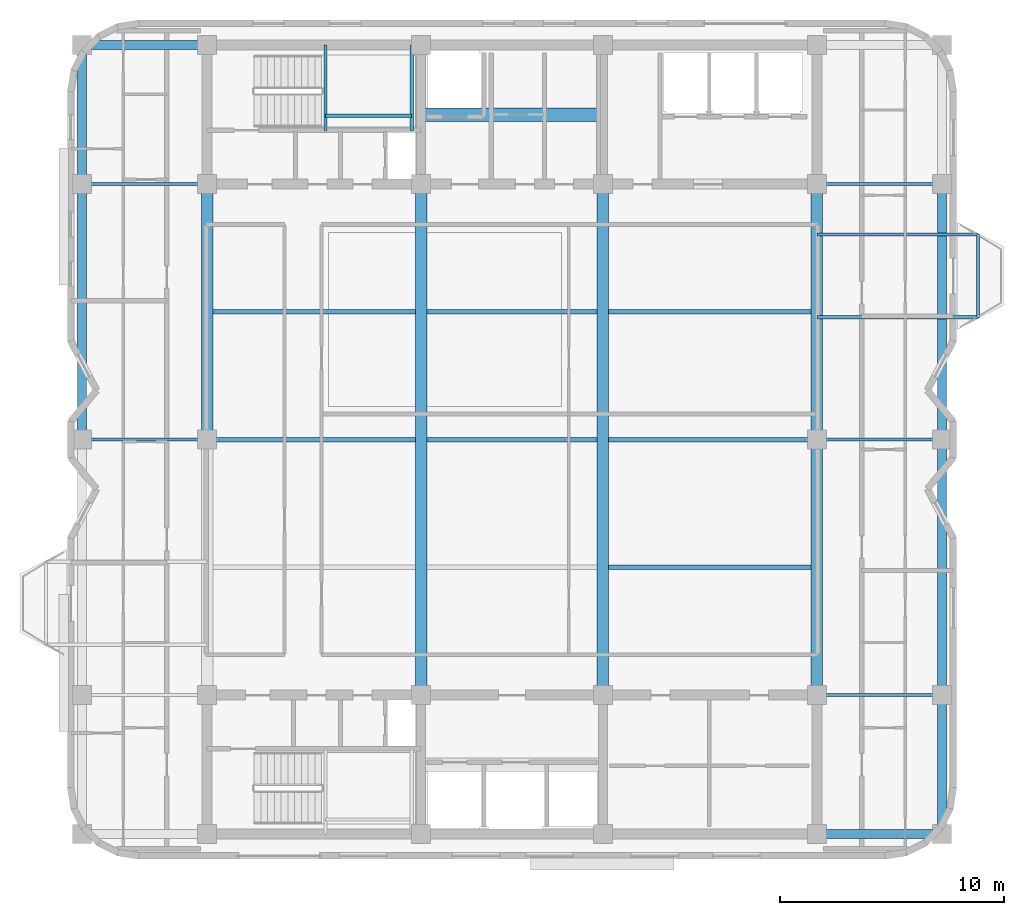
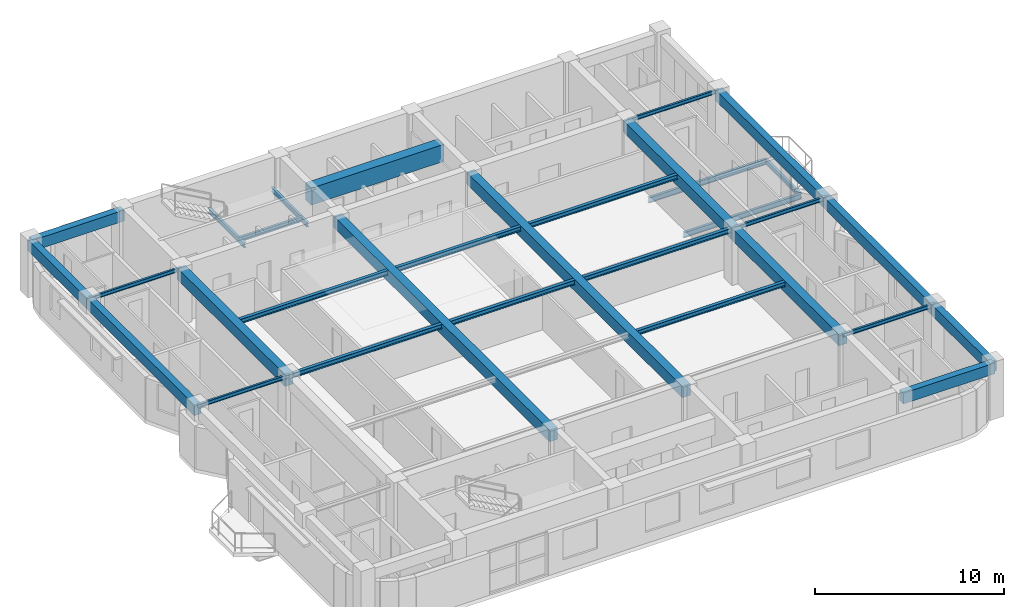
# One storey, part 3 of 12: 31 beams.
"""IFC4 building model written with IfcOpenShell, lengths in metres."""

from ifc_helpers import new_model, si_unit, direction, frame, origin, origin_2d, place, context, subcontext, project, spatial, rectangle, i_section, extrude, material, material_profile, profile_set, type_object, element, save


model = new_model("IFC4")

# Units and contexts
model_context = context("Model", 3, precision=1e-05, world=origin(), true_north=direction((0.0, 1.0)))
body_context = subcontext(model_context, "Body", "Model", "MODEL_VIEW")
ifc_project = project(units=[si_unit("LENGTHUNIT", "METRE"), si_unit("AREAUNIT", "SQUARE_METRE"), si_unit("VOLUMEUNIT", "CUBIC_METRE"), si_unit("PLANEANGLEUNIT", "RADIAN"), si_unit("MASSUNIT", "GRAM", prefix="KILO")], contexts=[model_context])

# Site, building, storey
site_placement = place(None, origin())
site = spatial("IfcSite", under=ifc_project, at=site_placement, CompositionType="ELEMENT")
building_placement = place(site_placement, origin())
building = spatial("IfcBuilding", under=site, at=building_placement, Name="Svetorya Sky Lyceum", CompositionType="ELEMENT")
storey_placement = place(building_placement, frame((0.0, 0.0, 236.89990234375)))
storey = spatial("IfcBuildingStorey", under=building, at=storey_placement, Name="L59", CompositionType="ELEMENT", Elevation=236.89990234375)

# Beams
ifc_material_1 = material(Name="Concrete C60/75", Category="concrete")
ifc_material_profile_1 = material_profile(ifc_material_1, rectangle(XDim=0.60009765625, YDim=1.10009765625, at=origin_2d()), Name="RC COUPLING 600x1100")
ifc_profile_set_1 = profile_set([ifc_material_profile_1], Name="Concrete C60/75")
beam_type_1 = type_object("IfcBeamType", Name="BM-CPL-1100", PredefinedType="LINTEL", material=ifc_profile_set_1)
beam_1_placement = place(storey_placement, frame((35.14990234375, 42.699951171875, 2.900146484375), z_axis=(1.0, 0.0, 0.0), x_axis=(0.0, 1.0, 0.0)))
element("IfcBeam", 1, at=beam_1_placement, inside=storey, type_object=beam_type_1, Name="L59 NC Core Coupling Beam", PredefinedType="LINTEL", context=body_context, shape_type="SweptSolid", body=[
    extrude(rectangle(XDim=0.60009765625, YDim=1.10009765625, at=origin_2d()), origin(), (0.0, 0.0, 1.0), 8.10009765625),
])
ifc_material_2 = material(Name="Concrete C50/60", Category="concrete")
ifc_material_profile_2 = material_profile(ifc_material_2, rectangle(XDim=0.5, YDim=0.75, at=origin_2d()), Name="RC BEAM 500x750")
ifc_profile_set_2 = profile_set([ifc_material_profile_2], Name="Concrete C50/60")
beam_type_2 = type_object("IfcBeamType", Name="BM-RC-750", PredefinedType="BEAM", material=ifc_profile_set_2)
beam_2_placement = place(storey_placement, frame((25.60009765625, 28.199951171875, 3.0751953125), z_axis=(0.0, 1.0, 0.0), x_axis=(-1.0, 0.0, 0.0)))
element("IfcBeam", 2, at=beam_2_placement, inside=storey, type_object=beam_type_2, Name="L59 Central Bay Primary Girder CG-1B", PredefinedType="BEAM", context=body_context, shape_type="SweptSolid", body=[
    extrude(rectangle(XDim=0.5, YDim=0.75, at=origin_2d()), origin(), (0.0, 0.0, 1.0), 11.400146484375),
])
for number, where, z_axis, x_axis, name in (
    (3, (35.14990234375, 16.800048828125, 3.0751953125), (0.0, 1.0, 0.0), (-1.0, 0.0, 0.0), "L59 Central Bay Primary Girder CG-2"),
    (4, (43.25, 16.800048828125, 3.0751953125), (0.0, 1.0, 0.0), (-1.0, 0.0, 0.0), "L59 Central Bay Primary Girder CG-3"),
):
    element("IfcBeam", number, at=place(storey_placement, frame(where, z_axis=z_axis, x_axis=x_axis)), inside=storey, type_object=beam_type_2, Name=name, PredefinedType="BEAM", context=body_context, shape_type="SweptSolid", body=[
        extrude(rectangle(XDim=0.5, YDim=0.75, at=origin_2d()), origin(), (0.0, 0.0, 1.0), 22.800048828125),
    ])
beam_3_placement = place(storey_placement, frame((52.800048828125, 16.800048828125, 3.0751953125), z_axis=(0.0, 1.0, 0.0), x_axis=(-1.0, 0.0, 0.0)))
element("IfcBeam", 5, at=beam_3_placement, inside=storey, type_object=beam_type_2, Name="L59 Central Bay Primary Girder CG-4A", PredefinedType="BEAM", context=body_context, shape_type="SweptSolid", body=[
    extrude(rectangle(XDim=0.5, YDim=0.75, at=origin_2d()), origin(), (0.0, 0.0, 1.0), 11.39990234375),
])
beam_4_placement = place(storey_placement, frame((52.800048828125, 28.199951171875, 3.0751953125), z_axis=(0.0, 1.0, 0.0), x_axis=(-1.0, 0.0, 0.0)))
element("IfcBeam", 6, at=beam_4_placement, inside=storey, type_object=beam_type_2, Name="L59 Central Bay Primary Girder CG-4B", PredefinedType="BEAM", context=body_context, shape_type="SweptSolid", body=[
    extrude(rectangle(XDim=0.5, YDim=0.75, at=origin_2d()), origin(), (0.0, 0.0, 1.0), 11.400146484375),
])
ifc_material_profile_3 = material_profile(ifc_material_2, rectangle(XDim=0.39990234375, YDim=0.699951171875, at=origin_2d()), Name="RC SPANDREL 400x700")
ifc_profile_set_3 = profile_set([ifc_material_profile_3], Name="Concrete C50/60")
beam_type_3 = type_object("IfcBeamType", Name="BM-SPN-700", PredefinedType="SPANDREL", material=ifc_profile_set_3)
beam_5_placement = place(storey_placement, frame((20.010009765625, 45.800048828125, 3.10009765625), z_axis=(1.0, 0.0, 0.0), x_axis=(0.0, 1.0, 0.0)))
element("IfcBeam", 7, at=beam_5_placement, inside=storey, type_object=beam_type_3, Name="L59 Tie Spandrel NW", PredefinedType="SPANDREL", context=body_context, shape_type="SweptSolid", body=[
    extrude(rectangle(XDim=0.39990234375, YDim=0.699951171875, at=origin_2d()), origin(), (0.0, 0.0, 1.0), 5.590087890625),
])
beam_6_placement = place(storey_placement, frame((52.800048828125, 10.60009765625, 3.10009765625), z_axis=(1.0, 0.0, 0.0), x_axis=(0.0, 1.0, 0.0)))
element("IfcBeam", 8, at=beam_6_placement, inside=storey, type_object=beam_type_3, Name="L59 Tie Spandrel SE", PredefinedType="SPANDREL", context=body_context, shape_type="SweptSolid", body=[
    extrude(rectangle(XDim=0.39990234375, YDim=0.699951171875, at=origin_2d()), origin(), (0.0, 0.0, 1.0), 5.58984375),
])
beam_7_placement = place(storey_placement, frame((20.010009765625, 28.199951171875, 3.10009765625), z_axis=(0.0, 1.0, 0.0), x_axis=(-1.0, 0.0, 0.0)))
element("IfcBeam", 9, at=beam_7_placement, inside=storey, type_object=beam_type_3, Name="L59 West Spandrel 3", PredefinedType="SPANDREL", context=body_context, shape_type="SweptSolid", body=[
    extrude(rectangle(XDim=0.39990234375, YDim=0.699951171875, at=origin_2d()), origin(), (0.0, 0.0, 1.0), 11.400146484375),
])
for number, where, z_axis, x_axis, name in (
    (10, (20.010009765625, 39.60009765625, 3.10009765625), (0.0, 1.0, 0.0), (-1.0, 0.0, 0.0), "L59 West Spandrel 4"),
    (11, (58.389892578125, 10.60009765625, 3.10009765625), (0.0, 1.0, 0.0), (-1.0, 0.0, 0.0), "L59 East Spandrel 1"),
):
    element("IfcBeam", number, at=place(storey_placement, frame(where, z_axis=z_axis, x_axis=x_axis)), inside=storey, type_object=beam_type_3, Name=name, PredefinedType="SPANDREL", context=body_context, shape_type="SweptSolid", body=[
        extrude(rectangle(XDim=0.39990234375, YDim=0.699951171875, at=origin_2d()), origin(), (0.0, 0.0, 1.0), 6.199951171875),
    ])
beam_8_placement = place(storey_placement, frame((58.389892578125, 16.800048828125, 3.10009765625), z_axis=(0.0, 1.0, 0.0), x_axis=(-1.0, 0.0, 0.0)))
element("IfcBeam", 12, at=beam_8_placement, inside=storey, type_object=beam_type_3, Name="L59 East Spandrel 2", PredefinedType="SPANDREL", context=body_context, shape_type="SweptSolid", body=[
    extrude(rectangle(XDim=0.39990234375, YDim=0.699951171875, at=origin_2d()), origin(), (0.0, 0.0, 1.0), 11.39990234375),
])
beam_9_placement = place(storey_placement, frame((58.389892578125, 28.199951171875, 3.10009765625), z_axis=(0.0, 1.0, 0.0), x_axis=(-1.0, 0.0, 0.0)))
element("IfcBeam", 13, at=beam_9_placement, inside=storey, type_object=beam_type_3, Name="L59 East Spandrel 3", PredefinedType="SPANDREL", context=body_context, shape_type="SweptSolid", body=[
    extrude(rectangle(XDim=0.39990234375, YDim=0.699951171875, at=origin_2d()), origin(), (0.0, 0.0, 1.0), 11.400146484375),
])
ifc_material_3 = material(Name="Steel S355", Category="steel")
ifc_material_profile_4 = material_profile(ifc_material_3, i_section(OverallWidth=0.1240234375, OverallDepth=0.248046875, WebThickness=0.006103515625, FlangeThickness=0.009521484375, at=origin_2d()), Name="GOST 25B2")
ifc_profile_set_4 = profile_set([ifc_material_profile_4], Name="Steel S355")
beam_type_4 = type_object("IfcBeamType", Name="BM-STL-25B2", PredefinedType="JOIST", material=ifc_profile_set_4)
beam_10_placement = place(storey_placement, frame((52.800048828125, 16.800048828125, 3.326171875), z_axis=(1.0, 0.0, 0.0), x_axis=(0.0, 1.0, 0.0)))
element("IfcBeam", 14, at=beam_10_placement, inside=storey, type_object=beam_type_4, Name="L59 East Wing Floor Joist E2", PredefinedType="JOIST", context=body_context, shape_type="SweptSolid", body=[
    extrude(i_section(OverallWidth=0.1240234375, OverallDepth=0.248046875, WebThickness=0.006103515625, FlangeThickness=0.009521484375, at=origin_2d()), origin(), (0.0, 0.0, 1.0), 5.58984375),
])
beam_11_placement = place(storey_placement, frame((20.010009765625, 28.199951171875, 3.326171875), z_axis=(1.0, 0.0, 0.0), x_axis=(0.0, 1.0, 0.0)))
element("IfcBeam", 15, at=beam_11_placement, inside=storey, type_object=beam_type_4, Name="L59 West Wing Floor Joist W3", PredefinedType="JOIST", context=body_context, shape_type="SweptSolid", body=[
    extrude(i_section(OverallWidth=0.1240234375, OverallDepth=0.248046875, WebThickness=0.006103515625, FlangeThickness=0.009521484375, at=origin_2d()), origin(), (0.0, 0.0, 1.0), 5.590087890625),
])
beam_12_placement = place(storey_placement, frame((52.800048828125, 28.199951171875, 3.326171875), z_axis=(1.0, 0.0, 0.0), x_axis=(0.0, 1.0, 0.0)))
element("IfcBeam", 16, at=beam_12_placement, inside=storey, type_object=beam_type_4, Name="L59 East Wing Floor Joist E3", PredefinedType="JOIST", context=body_context, shape_type="SweptSolid", body=[
    extrude(i_section(OverallWidth=0.1240234375, OverallDepth=0.248046875, WebThickness=0.006103515625, FlangeThickness=0.009521484375, at=origin_2d()), origin(), (0.0, 0.0, 1.0), 5.58984375),
])
beam_13_placement = place(storey_placement, frame((20.010009765625, 39.60009765625, 3.326171875), z_axis=(1.0, 0.0, 0.0), x_axis=(0.0, 1.0, 0.0)))
element("IfcBeam", 17, at=beam_13_placement, inside=storey, type_object=beam_type_4, Name="L59 West Wing Floor Joist W4", PredefinedType="JOIST", context=body_context, shape_type="SweptSolid", body=[
    extrude(i_section(OverallWidth=0.1240234375, OverallDepth=0.248046875, WebThickness=0.006103515625, FlangeThickness=0.009521484375, at=origin_2d()), origin(), (0.0, 0.0, 1.0), 5.590087890625),
])
beam_14_placement = place(storey_placement, frame((52.800048828125, 39.60009765625, 3.326171875), z_axis=(1.0, 0.0, 0.0), x_axis=(0.0, 1.0, 0.0)))
element("IfcBeam", 18, at=beam_14_placement, inside=storey, type_object=beam_type_4, Name="L59 East Wing Floor Joist E4", PredefinedType="JOIST", context=body_context, shape_type="SweptSolid", body=[
    extrude(i_section(OverallWidth=0.1240234375, OverallDepth=0.248046875, WebThickness=0.006103515625, FlangeThickness=0.009521484375, at=origin_2d()), origin(), (0.0, 0.0, 1.0), 5.58984375),
])
ifc_material_profile_5 = material_profile(ifc_material_3, i_section(OverallWidth=0.14990234375, OverallDepth=0.299072265625, WebThickness=0.006591796875, FlangeThickness=0.010498046875, at=origin_2d()), Name="GOST 30B2")
ifc_profile_set_5 = profile_set([ifc_material_profile_5], Name="Steel S355")
beam_type_5 = type_object("IfcBeamType", Name="BM-STL-30B2", PredefinedType="JOIST", material=ifc_profile_set_5)
beam_15_placement = place(storey_placement, frame((59.989990234375, 33.64990234375, -0.42431640625), z_axis=(0.0, 1.0, 0.0), x_axis=(-1.0, 0.0, 0.0)))
element("IfcBeam", 19, at=beam_15_placement, inside=storey, type_object=beam_type_5, Name="L59 Balcony Edge Tie BAL-E1", PredefinedType="JOIST", context=body_context, shape_type="SweptSolid", body=[
    extrude(i_section(OverallWidth=0.14990234375, OverallDepth=0.299072265625, WebThickness=0.006591796875, FlangeThickness=0.010498046875, at=origin_2d()), origin(), (0.0, 0.0, 1.0), 3.7001953125),
])
for number, where, z_axis, x_axis, name in (
    (20, (30.8798828125, 42.0, 1.50048828125), (0.0, 1.0, 0.0), (-1.0, 0.0, 0.0), "L59 Stair ST-N Half-Landing Support Beam 67.1"),
    (21, (34.719970703125, 42.0, 1.50048828125), (0.0, 1.0, 0.0), (-1.0, 0.0, 0.0), "L59 Stair ST-N Half-Landing Support Beam 67.2"),
):
    element("IfcBeam", number, at=place(storey_placement, frame(where, z_axis=z_axis, x_axis=x_axis)), inside=storey, type_object=beam_type_5, Name=name, PredefinedType="JOIST", context=body_context, shape_type="SweptSolid", body=[
        extrude(i_section(OverallWidth=0.14990234375, OverallDepth=0.299072265625, WebThickness=0.006591796875, FlangeThickness=0.010498046875, at=origin_2d()), origin(), (0.0, 0.0, 1.0), 3.800048828125),
    ])
beam_16_placement = place(storey_placement, frame((30.8798828125, 42.64990234375, 1.50048828125), z_axis=(1.0, 0.0, 0.0), x_axis=(0.0, 1.0, 0.0)))
element("IfcBeam", 22, at=beam_16_placement, inside=storey, type_object=beam_type_5, Name="L59 Stair ST-N Half-Landing Cross Tie 67", PredefinedType="JOIST", context=body_context, shape_type="SweptSolid", body=[
    extrude(i_section(OverallWidth=0.14990234375, OverallDepth=0.299072265625, WebThickness=0.006591796875, FlangeThickness=0.010498046875, at=origin_2d()), origin(), (0.0, 0.0, 1.0), 3.840087890625),
])
ifc_material_profile_6 = material_profile(ifc_material_3, i_section(OverallWidth=0.199951171875, OverallDepth=0.298095703125, WebThickness=0.008544921875, FlangeThickness=0.012939453125, at=origin_2d()), Name="GOST 30Sh2")
ifc_profile_set_6 = profile_set([ifc_material_profile_6], Name="Steel S355")
beam_type_6 = type_object("IfcBeamType", Name="BM-STL-30SH2", PredefinedType="BEAM", material=ifc_profile_set_6)
beam_17_placement = place(storey_placement, frame((43.5, 22.5, 3.301025390625), z_axis=(1.0, 0.0, 0.0), x_axis=(0.0, 1.0, 0.0)))
element("IfcBeam", 23, at=beam_17_placement, inside=storey, type_object=beam_type_6, Name="L59 Central Floor Joist CJ-1.3", PredefinedType="BEAM", context=body_context, shape_type="SweptSolid", body=[
    extrude(i_section(OverallWidth=0.199951171875, OverallDepth=0.298095703125, WebThickness=0.008544921875, FlangeThickness=0.012939453125, at=origin_2d()), origin(), (0.0, 0.0, 1.0), 9.050048828125),
])
beam_18_placement = place(storey_placement, frame((25.85009765625, 28.199951171875, 3.301025390625), z_axis=(1.0, 0.0, 0.0), x_axis=(0.0, 1.0, 0.0)))
element("IfcBeam", 24, at=beam_18_placement, inside=storey, type_object=beam_type_6, Name="L59 Central Floor Joist CJ-2.1", PredefinedType="BEAM", context=body_context, shape_type="SweptSolid", body=[
    extrude(i_section(OverallWidth=0.199951171875, OverallDepth=0.298095703125, WebThickness=0.008544921875, FlangeThickness=0.012939453125, at=origin_2d()), origin(), (0.0, 0.0, 1.0), 9.0498046875),
])
beam_19_placement = place(storey_placement, frame((35.39990234375, 28.199951171875, 3.301025390625), z_axis=(1.0, 0.0, 0.0), x_axis=(0.0, 1.0, 0.0)))
element("IfcBeam", 25, at=beam_19_placement, inside=storey, type_object=beam_type_6, Name="L59 Central Floor Joist CJ-2.2", PredefinedType="BEAM", context=body_context, shape_type="SweptSolid", body=[
    extrude(i_section(OverallWidth=0.199951171875, OverallDepth=0.298095703125, WebThickness=0.008544921875, FlangeThickness=0.012939453125, at=origin_2d()), origin(), (0.0, 0.0, 1.0), 7.60009765625),
])
beam_20_placement = place(storey_placement, frame((43.5, 28.199951171875, 3.301025390625), z_axis=(1.0, 0.0, 0.0), x_axis=(0.0, 1.0, 0.0)))
element("IfcBeam", 26, at=beam_20_placement, inside=storey, type_object=beam_type_6, Name="L59 Central Floor Joist CJ-2.3", PredefinedType="BEAM", context=body_context, shape_type="SweptSolid", body=[
    extrude(i_section(OverallWidth=0.199951171875, OverallDepth=0.298095703125, WebThickness=0.008544921875, FlangeThickness=0.012939453125, at=origin_2d()), origin(), (0.0, 0.0, 1.0), 9.050048828125),
])
beam_21_placement = place(storey_placement, frame((25.85009765625, 33.89990234375, 3.301025390625), z_axis=(1.0, 0.0, 0.0), x_axis=(0.0, 1.0, 0.0)))
element("IfcBeam", 27, at=beam_21_placement, inside=storey, type_object=beam_type_6, Name="L59 Central Floor Joist CJ-3.1", PredefinedType="BEAM", context=body_context, shape_type="SweptSolid", body=[
    extrude(i_section(OverallWidth=0.199951171875, OverallDepth=0.298095703125, WebThickness=0.008544921875, FlangeThickness=0.012939453125, at=origin_2d()), origin(), (0.0, 0.0, 1.0), 9.0498046875),
])
beam_22_placement = place(storey_placement, frame((35.39990234375, 33.89990234375, 3.301025390625), z_axis=(1.0, 0.0, 0.0), x_axis=(0.0, 1.0, 0.0)))
element("IfcBeam", 28, at=beam_22_placement, inside=storey, type_object=beam_type_6, Name="L59 Central Floor Joist CJ-3.2", PredefinedType="BEAM", context=body_context, shape_type="SweptSolid", body=[
    extrude(i_section(OverallWidth=0.199951171875, OverallDepth=0.298095703125, WebThickness=0.008544921875, FlangeThickness=0.012939453125, at=origin_2d()), origin(), (0.0, 0.0, 1.0), 7.60009765625),
])
beam_23_placement = place(storey_placement, frame((43.5, 33.89990234375, 3.301025390625), z_axis=(1.0, 0.0, 0.0), x_axis=(0.0, 1.0, 0.0)))
element("IfcBeam", 29, at=beam_23_placement, inside=storey, type_object=beam_type_6, Name="L59 Central Floor Joist CJ-3.3", PredefinedType="BEAM", context=body_context, shape_type="SweptSolid", body=[
    extrude(i_section(OverallWidth=0.199951171875, OverallDepth=0.298095703125, WebThickness=0.008544921875, FlangeThickness=0.012939453125, at=origin_2d()), origin(), (0.0, 0.0, 1.0), 9.050048828125),
])
ifc_material_profile_7 = material_profile(ifc_material_3, i_section(OverallWidth=0.155029296875, OverallDepth=0.34912109375, WebThickness=0.007080078125, FlangeThickness=0.011474609375, at=origin_2d()), Name="GOST 35B2")
ifc_profile_set_7 = profile_set([ifc_material_profile_7], Name="Steel S355")
beam_type_7 = type_object("IfcBeamType", Name="BM-STL-35B2", PredefinedType="JOIST", material=ifc_profile_set_7)
for number, where, z_axis, x_axis, name in (
    (30, (52.800048828125, 33.64990234375, -0.42431640625), (1.0, 0.0, 0.0), (0.0, 1.0, 0.0), "L59 Balcony Cantilever Beam BAL-E1-1"),
    (31, (52.800048828125, 37.35009765625, -0.42431640625), (1.0, 0.0, 0.0), (0.0, 1.0, 0.0), "L59 Balcony Cantilever Beam BAL-E1-2"),
):
    element("IfcBeam", number, at=place(storey_placement, frame(where, z_axis=z_axis, x_axis=x_axis)), inside=storey, type_object=beam_type_7, Name=name, PredefinedType="JOIST", context=body_context, shape_type="SweptSolid", body=[
        extrude(i_section(OverallWidth=0.155029296875, OverallDepth=0.34912109375, WebThickness=0.007080078125, FlangeThickness=0.011474609375, at=origin_2d()), origin(), (0.0, 0.0, 1.0), 7.18994140625),
    ])

save(model, "model.ifc")
